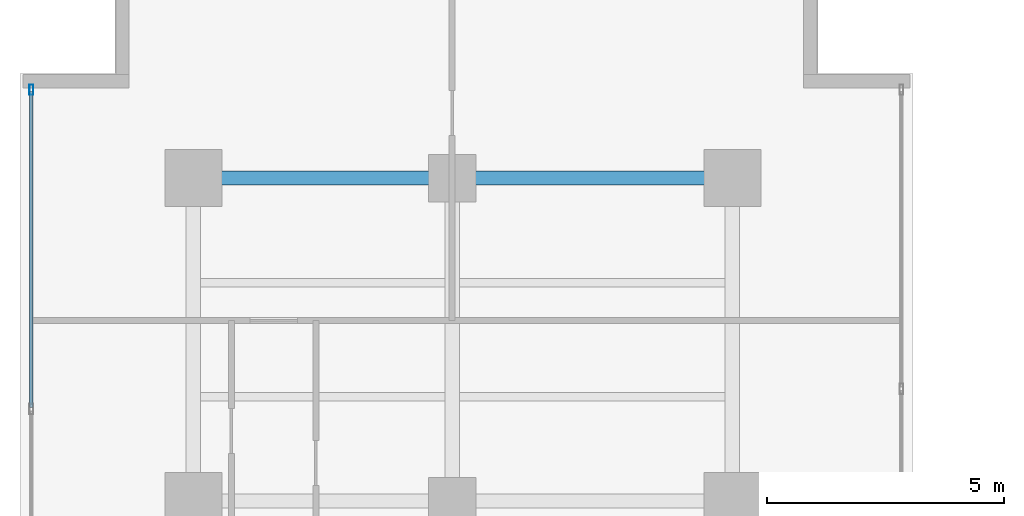
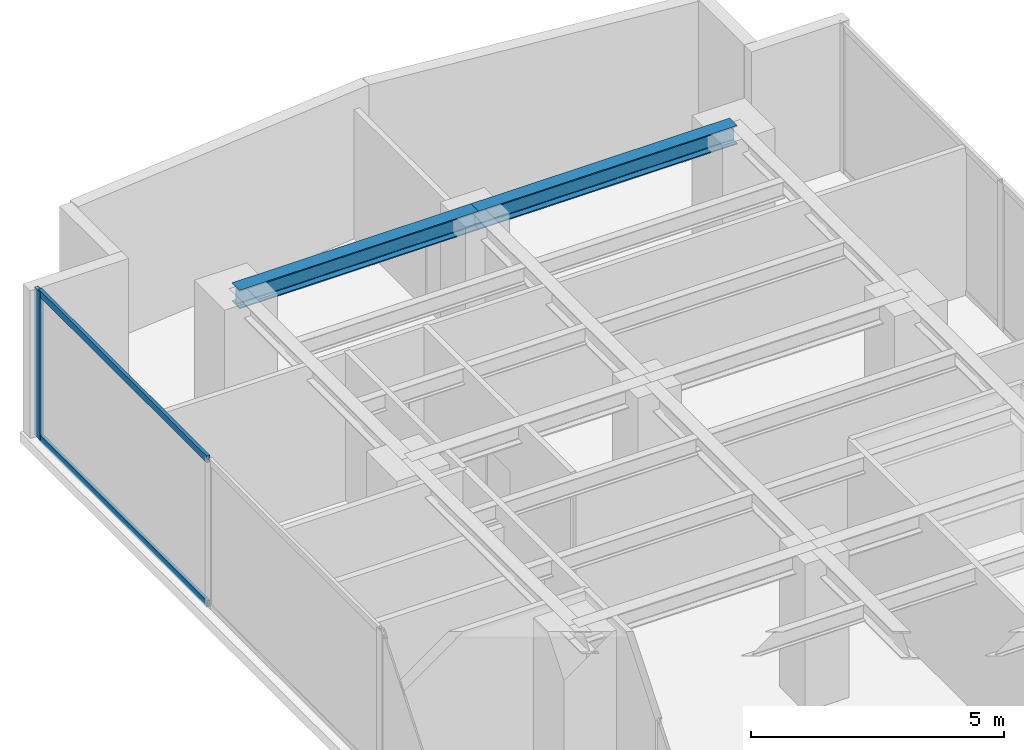
# One storey, part 17 of 27: 3 members, 2 beams, 1 element without a shape of its own.
"""IFC4 building model written with IfcOpenShell, lengths in metres."""

from ifc_helpers import new_model, si_unit, direction, frame, origin, origin_with_axes, origin_2d, place, context, subcontext, project, spatial, hollow_rectangle, i_section, extrude, source, transform, mapped, material, layer, layer_set, material_profile, profile_set, type_object, element, aggregate, save


model = new_model("IFC4")

# Units and contexts
model_context = context("Model", 3, precision=1e-05, world=origin(), true_north=direction((0.0, 1.0)))
body_context = subcontext(model_context, "Body", "Model", "MODEL_VIEW")
ifc_project = project(units=[si_unit("LENGTHUNIT", "METRE"), si_unit("AREAUNIT", "SQUARE_METRE"), si_unit("VOLUMEUNIT", "CUBIC_METRE"), si_unit("PLANEANGLEUNIT", "RADIAN"), si_unit("MASSUNIT", "GRAM", prefix="KILO")], contexts=[model_context])

# Site, building, storey
site_placement = place(None, origin())
site = spatial("IfcSite", under=ifc_project, at=site_placement, CompositionType="ELEMENT")
building_placement = place(site_placement, origin())
building = spatial("IfcBuilding", under=site, at=building_placement, Name="Kolvaren Waterfront Exchange", CompositionType="ELEMENT")
storey_placement = place(building_placement, frame((0.0, 0.0, 176.60009765625)))
storey = spatial("IfcBuildingStorey", under=building, at=storey_placement, Name="L45", CompositionType="ELEMENT", Elevation=176.60009765625)

# Beams
ifc_material_1 = material(Name="Steel S355", Category="steel")
ifc_material_profile_1 = material_profile(ifc_material_1, i_section(OverallWidth=0.300048828125, OverallDepth=0.449951171875, WebThickness=0.013916015625, FlangeThickness=0.02587890625, FilletRadius=0.027099609375, at=origin_2d()), Name="HEB450")
ifc_profile_set_1 = profile_set([ifc_material_profile_1], Name="Steel S355")
beam_type = type_object("IfcBeamType", Name="STR-BM-HEB450", PredefinedType="BEAM", material=ifc_profile_set_1)
beam_1_placement = place(storey_placement, frame((7.449951171875, 44.60009765625, 3.3349609375), z_axis=(1.0, 0.0, 0.0), x_axis=(0.0, 1.0, 0.0)))
element("IfcBeam", 1, at=beam_1_placement, inside=storey, type_object=beam_type, Name="L45 north-arm girder 4A", PredefinedType="BEAM", context=body_context, shape_type="SweptSolid", body=[
    extrude(i_section(OverallWidth=0.300048828125, OverallDepth=0.449951171875, WebThickness=0.013916015625, FlangeThickness=0.02587890625, FilletRadius=0.027099609375, at=origin_2d()), origin(), (0.0, 0.0, 1.0), 5.449951171875),
])
beam_2_placement = place(storey_placement, frame((12.89990234375, 44.60009765625, 3.3349609375), z_axis=(1.0, 0.0, 0.0), x_axis=(0.0, 1.0, 0.0)))
element("IfcBeam", 2, at=beam_2_placement, inside=storey, type_object=beam_type, Name="L45 north-arm girder 4B", PredefinedType="BEAM", context=body_context, shape_type="SweptSolid", body=[
    extrude(i_section(OverallWidth=0.300048828125, OverallDepth=0.449951171875, WebThickness=0.013916015625, FlangeThickness=0.02587890625, FilletRadius=0.027099609375, at=origin_2d()), origin(), (0.0, 0.0, 1.0), 5.900146484375),
])

# Curtain wall, members
ifc_material_2 = material(Name="Anodised aluminium 6063-T6", Category="aluminium")
ifc_layer = layer(ifc_material_2, 0.219970703125, Name="Anodised aluminium 6063-T6")
ifc_layer_set = layer_set([ifc_layer], Name="Anodised aluminium 6063-T6")
curtain_wall_type = type_object("IfcCurtainWallType", Name="ARC-CW-SYS2", PredefinedType="USERDEFINED", material=ifc_layer_set)
curtain_wall_placement = place(storey_placement, origin())
curtain_wall = element("IfcCurtainWall", 3, at=curtain_wall_placement, inside=storey, type_object=curtain_wall_type, Name="L45 stick curtain wall CW2 (CW-L45-W)", ObjectType="STICK CURTAIN WALL", PredefinedType="USERDEFINED")
ifc_material_profile_2 = material_profile(ifc_material_2, hollow_rectangle(XDim=0.074951171875, YDim=0.159912109375, WallThickness=0.00439453125, at=origin_2d()), Name="ALU-TRN-160x75x4.5")
ifc_profile_set_2 = profile_set([ifc_material_profile_2], Name="Anodised aluminium 6063-T6")
member_type_1 = type_object("IfcMemberType", Name="ARC-CWT-160", PredefinedType="USERDEFINED", material=ifc_profile_set_2)
shared_shape_1 = source(origin_with_axes(), body_context, "Body", "SweptSolid", [
    extrude(hollow_rectangle(XDim=0.074951171875, YDim=0.159912109375, WallThickness=0.00439453125, at=origin_2d()), origin(), (0.0, 0.0, 1.0), 6.646484375),
])
member_1_placement = place(storey_placement, frame((4.0400390625, 39.7734375, 0.037353515625), z_axis=(0.0, 1.0, 0.0), x_axis=(-1.0, 0.0, 0.0)))
member_1 = element("IfcMember", 4, at=member_1_placement, type_object=member_type_1, Name="CW2 transom 6.1", ObjectType="TRANSOM", PredefinedType="USERDEFINED", context=body_context, shape_type="MappedRepresentation", body=[
    mapped(shared_shape_1, transform((0.0, 0.0, 0.0), x_axis=(1.0, 0.0, 0.0), y_axis=(0.0, 1.0, 0.0), z_axis=(0.0, 0.0, 1.0), scale=1.0)),
])
member_2_placement = place(storey_placement, frame((4.0400390625, 39.7734375, 3.5224609375), z_axis=(0.0, 1.0, 0.0), x_axis=(-1.0, 0.0, 0.0)))
member_2 = element("IfcMember", 5, at=member_2_placement, type_object=member_type_1, Name="CW2 transom 6.2", ObjectType="TRANSOM", PredefinedType="USERDEFINED", context=body_context, shape_type="MappedRepresentation", body=[
    mapped(shared_shape_1, transform((0.0, 0.0, 0.0), x_axis=(1.0, 0.0, 0.0), y_axis=(0.0, 1.0, 0.0), z_axis=(0.0, 0.0, 1.0), scale=1.0)),
])
ifc_material_profile_3 = material_profile(ifc_material_2, hollow_rectangle(XDim=0.080078125, YDim=0.219970703125, WallThickness=0.0048828125, at=origin_2d()), Name="ALU-MUL-220x80x5")
ifc_profile_set_3 = profile_set([ifc_material_profile_3], Name="Anodised aluminium 6063-T6")
member_type_2 = type_object("IfcMemberType", Name="ARC-CWM-220", PredefinedType="MULLION", material=ifc_profile_set_3)
shared_shape_2 = source(origin_with_axes(), body_context, "Body", "SweptSolid", [
    extrude(hollow_rectangle(XDim=0.080078125, YDim=0.219970703125, WallThickness=0.0048828125, at=origin_2d()), origin(), (0.0, 0.0, 1.0), 3.559814453125),
])
member_3_placement = place(storey_placement, frame((4.0400390625, 46.4599609375, 0.0), z_axis=(0.0, 0.0, 1.0), x_axis=(-1.0, 0.0, 0.0)))
member_3 = element("IfcMember", 6, at=member_3_placement, type_object=member_type_2, Name="CW2 mullion 7", PredefinedType="MULLION", context=body_context, shape_type="MappedRepresentation", body=[
    mapped(shared_shape_2, transform((0.0, 0.0, 0.0), x_axis=(1.0, 0.0, 0.0), y_axis=(0.0, 1.0, 0.0), z_axis=(0.0, 0.0, 1.0), scale=1.0)),
])
aggregate(curtain_wall, [member_3, member_1, member_2])

save(model, "model.ifc")
